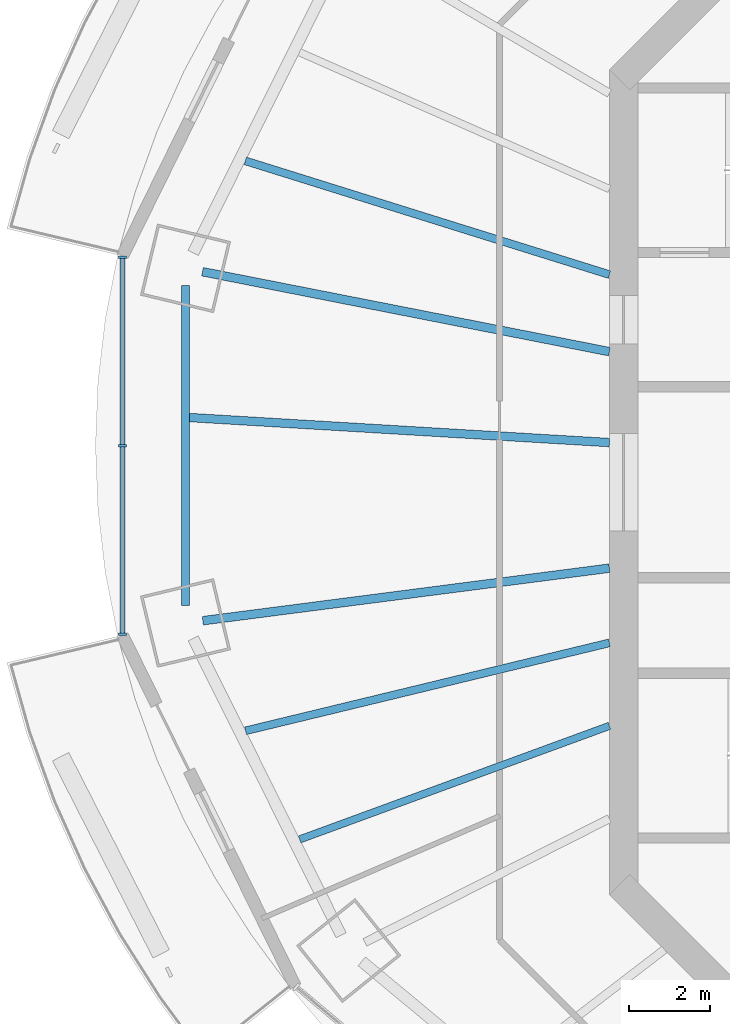
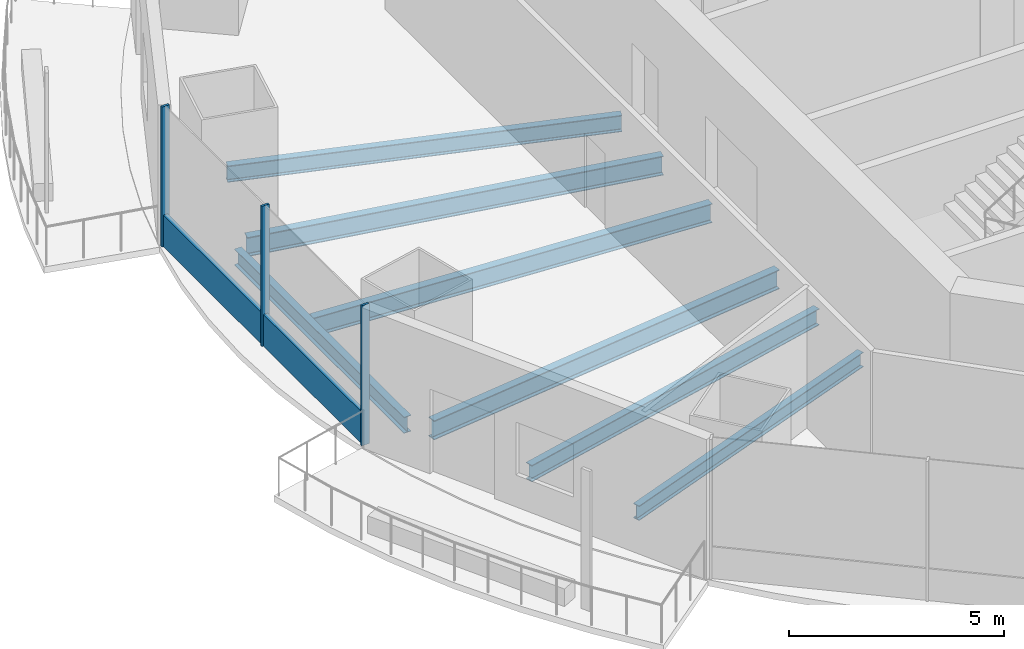
# One storey, part 3 of 16: 7 beams, 4 members, 1 element without a shape of its own.
"""IFC4 building model written with IfcOpenShell, lengths in metres."""

from ifc_helpers import new_model, si_unit, direction, frame, origin, origin_2d, place, context, subcontext, project, spatial, rectangle, i_section, extrude, material, material_profile, profile_set, type_object, element, aggregate, save


model = new_model("IFC4")

# Units and contexts
model_context = context("Model", 3, precision=1e-05, world=origin(), true_north=direction((0.0, 1.0)))
body_context = subcontext(model_context, "Body", "Model", "MODEL_VIEW")
ifc_project = project(units=[si_unit("LENGTHUNIT", "METRE"), si_unit("AREAUNIT", "SQUARE_METRE"), si_unit("VOLUMEUNIT", "CUBIC_METRE"), si_unit("PLANEANGLEUNIT", "RADIAN"), si_unit("MASSUNIT", "GRAM", prefix="KILO")], contexts=[model_context])

# Site, building, storey
site_placement = place(None, origin())
site = spatial("IfcSite", under=ifc_project, at=site_placement, CompositionType="ELEMENT")
building_placement = place(site_placement, origin())
building = spatial("IfcBuilding", under=site, at=building_placement, Name="Marenthal Gate Tower", CompositionType="ELEMENT")
storey_placement = place(building_placement, frame((0.0, 0.0, 301.10009765625)))
storey = spatial("IfcBuildingStorey", under=building, at=storey_placement, Name="L67", CompositionType="ELEMENT", Elevation=301.10009765625)

# Curtain wall, members
ifc_material_1 = material(Name="Aluminium and glass", Category="aluminium")
curtain_wall_type = type_object("IfcCurtainWallType", Name="Curtain wall typical high", PredefinedType="NOTDEFINED", material=ifc_material_1)
curtain_wall_placement = place(storey_placement, origin())
curtain_wall = element("IfcCurtainWall", 1, at=curtain_wall_placement, inside=storey, type_object=curtain_wall_type, Name="Curtain wall L67 bay 8", PredefinedType="NOTDEFINED")
ifc_material_2 = material(Name="Aluminium", Category="aluminium")
ifc_material_profile_1 = material_profile(ifc_material_2, rectangle(XDim=0.199951171875, YDim=0.06005859375, at=origin_2d()), Name="60x200 aluminium mullion")
ifc_profile_set_1 = profile_set([ifc_material_profile_1], Name="Aluminium")
member_type_1 = type_object("IfcMemberType", Name="Mullion 60x200 typical high", PredefinedType="MULLION", material=ifc_profile_set_1)
member_1_placement = place(storey_placement, frame((-28.328857421875, 5.5400390625, 0.0), z_axis=(0.0, 0.0, 1.0), x_axis=(1.0, 0.0, 0.0)))
member_1 = element("IfcMember", 2, at=member_1_placement, type_object=member_type_1, Name="Mullion L67 bay 8.1", PredefinedType="MULLION", context=body_context, shape_type="SweptSolid", body=[
    extrude(rectangle(XDim=0.199951171875, YDim=0.06005859375, at=origin_2d()), origin(), (0.0, 0.0, 1.0), 3.969970703125),
])
member_2_placement = place(storey_placement, frame((-28.328857421875, 0.89990234375, 0.0), z_axis=(0.0, 0.0, 1.0), x_axis=(1.0, 0.0, 0.0)))
member_2 = element("IfcMember", 3, at=member_2_placement, type_object=member_type_1, Name="Mullion L67 bay 8.2", PredefinedType="MULLION", context=body_context, shape_type="SweptSolid", body=[
    extrude(rectangle(XDim=0.199951171875, YDim=0.06005859375, at=origin_2d()), origin(), (0.0, 0.0, 1.0), 3.969970703125),
])
member_3_placement = place(storey_placement, frame((-28.328857421875, -3.739990234375, 0.0), z_axis=(0.0, 0.0, 1.0), x_axis=(1.0, 0.0, 0.0)))
member_3 = element("IfcMember", 4, at=member_3_placement, type_object=member_type_1, Name="Mullion L67 bay 8.3", PredefinedType="MULLION", context=body_context, shape_type="SweptSolid", body=[
    extrude(rectangle(XDim=0.199951171875, YDim=0.06005859375, at=origin_2d()), origin(), (0.0, 0.0, 1.0), 3.969970703125),
])
ifc_material_3 = material(Name="Aluminium", Category="aluminium")
ifc_material_profile_2 = material_profile(ifc_material_3, rectangle(XDim=0.1201171875, YDim=0.89990234375, at=origin_2d()), Name="120x900 aluminium transom")
ifc_profile_set_2 = profile_set([ifc_material_profile_2], Name="Aluminium")
member_type_2 = type_object("IfcMemberType", Name="Transom 120x900 typical high", PredefinedType="USERDEFINED", material=ifc_profile_set_2)
member_4_placement = place(storey_placement, frame((-28.328857421875, 5.510009765625, 0.449951171875), z_axis=(0.0, -1.0, 0.0), x_axis=(1.0, 0.0, 0.0)))
member_4 = element("IfcMember", 5, at=member_4_placement, type_object=member_type_2, Name="Transom L67 bay 8", ObjectType="TRANSOM", PredefinedType="USERDEFINED", context=body_context, shape_type="SweptSolid", body=[
    extrude(rectangle(XDim=0.1201171875, YDim=0.89990234375, at=origin_2d()), origin(), (0.0, 0.0, 1.0), 9.22021484375),
])
aggregate(curtain_wall, [member_1, member_2, member_3, member_4])

# Beams
ifc_material_4 = material(Name="Steel S355", Category="steel")
ifc_material_profile_3 = material_profile(ifc_material_4, i_section(OverallWidth=0.180908203125, OverallDepth=0.4169921875, WebThickness=0.010986328125, FlangeThickness=0.018310546875, FilletRadius=0.01025390625, at=origin_2d()), Name="W410X85")
ifc_profile_set_3 = profile_set([ifc_material_profile_3], Name="Steel S355")
beam_type_1 = type_object("IfcBeamType", Name="W410X85 beam", PredefinedType="BEAM", material=ifc_profile_set_3)
beam_1_placement = place(storey_placement, frame((-23.969970703125, -8.78662109375, -0.388671875), z_axis=(0.938905805694, 0.344174211751, 0.0), x_axis=(-0.344174211751, 0.938905805694, 0.0)))
element("IfcBeam", 6, at=beam_1_placement, inside=storey, type_object=beam_type_1, Name="BM-L67-30", PredefinedType="BEAM", context=body_context, shape_type="SweptSolid", body=[
    extrude(i_section(OverallWidth=0.180908203125, OverallDepth=0.4169921875, WebThickness=0.010986328125, FlangeThickness=0.018310546875, FilletRadius=0.01025390625, at=origin_2d()), origin(), (0.0, 0.0, 1.0), 8.11572265625),
])
ifc_material_5 = material(Name="Steel S355", Category="steel")
ifc_material_profile_4 = material_profile(ifc_material_5, i_section(OverallWidth=0.19091796875, OverallDepth=0.45703125, WebThickness=0.009033203125, FlangeThickness=0.014404296875, FilletRadius=0.01025390625, at=origin_2d()), Name="W460X74")
ifc_profile_set_4 = profile_set([ifc_material_profile_4], Name="Steel S355")
beam_type_2 = type_object("IfcBeamType", Name="W460X74 beam", PredefinedType="BEAM", material=ifc_profile_set_4)
beam_2_placement = place(storey_placement, frame((-26.779296875, 4.83642578125, -0.40869140625), z_axis=(0.0, -1.0, 0.0), x_axis=(1.0, 0.0, 0.0)))
element("IfcBeam", 7, at=beam_2_placement, inside=storey, type_object=beam_type_2, Name="BM-L67-48", PredefinedType="BEAM", context=body_context, shape_type="SweptSolid", body=[
    extrude(i_section(OverallWidth=0.19091796875, OverallDepth=0.45703125, WebThickness=0.009033203125, FlangeThickness=0.014404296875, FilletRadius=0.01025390625, at=origin_2d()), origin(), (0.0, 0.0, 1.0), 7.872802734375),
])
ifc_material_6 = material(Name="Steel S355", Category="steel")
ifc_material_profile_5 = material_profile(ifc_material_6, i_section(OverallWidth=0.193115234375, OverallDepth=0.467041015625, WebThickness=0.011474609375, FlangeThickness=0.01904296875, FilletRadius=0.010009765625, at=origin_2d()), Name="W460X97")
ifc_profile_set_5 = profile_set([ifc_material_profile_5], Name="Steel S355")
beam_type_3 = type_object("IfcBeamType", Name="W460X97 beam", PredefinedType="BEAM", material=ifc_profile_set_5)
beam_3_placement = place(storey_placement, frame((-25.3056640625, 7.90625, -0.41357421875), z_axis=(0.954495718839, -0.298224617895, 0.0), x_axis=(0.298224617895, 0.954495718839, 0.0)))
element("IfcBeam", 8, at=beam_3_placement, inside=storey, type_object=beam_type_3, Name="BM-L67-27", PredefinedType="BEAM", context=body_context, shape_type="SweptSolid", body=[
    extrude(i_section(OverallWidth=0.193115234375, OverallDepth=0.467041015625, WebThickness=0.011474609375, FlangeThickness=0.01904296875, FilletRadius=0.010009765625, at=origin_2d()), origin(), (0.0, 0.0, 1.0), 9.382568359375),
])
beam_4_placement = place(storey_placement, frame((-25.301513671875, -6.11474609375, -0.41357421875), z_axis=(0.972016698111, 0.234911767679, 0.0), x_axis=(-0.234911767679, 0.972016698111, 0.0)))
element("IfcBeam", 9, at=beam_4_placement, inside=storey, type_object=beam_type_3, Name="BM-L67-29", PredefinedType="BEAM", context=body_context, shape_type="SweptSolid", body=[
    extrude(i_section(OverallWidth=0.193115234375, OverallDepth=0.467041015625, WebThickness=0.011474609375, FlangeThickness=0.01904296875, FilletRadius=0.010009765625, at=origin_2d()), origin(), (0.0, 0.0, 1.0), 9.209228515625),
])
ifc_material_7 = material(Name="Steel S355", Category="steel")
ifc_material_profile_6 = material_profile(ifc_material_7, i_section(OverallWidth=0.2099609375, OverallDepth=0.535888671875, WebThickness=0.010986328125, FlangeThickness=0.017333984375, FilletRadius=0.0126953125, at=origin_2d()), Name="W530X101")
ifc_profile_set_6 = profile_set([ifc_material_profile_6], Name="Steel S355")
beam_type_4 = type_object("IfcBeamType", Name="W530X101 beam", PredefinedType="BEAM", material=ifc_profile_set_6)
beam_5_placement = place(storey_placement, frame((-26.68359375, 1.59228515625, -0.447998046875), z_axis=(0.998223913862, -0.059573633379, 0.0), x_axis=(0.059573633379, 0.998223913862, 0.0)))
element("IfcBeam", 10, at=beam_5_placement, inside=storey, type_object=beam_type_4, Name="BM-L67-28", PredefinedType="BEAM", context=body_context, shape_type="SweptSolid", body=[
    extrude(i_section(OverallWidth=0.2099609375, OverallDepth=0.535888671875, WebThickness=0.010986328125, FlangeThickness=0.017333984375, FilletRadius=0.0126953125, at=origin_2d()), origin(), (0.0, 0.0, 1.0), 10.351806640625),
])
ifc_material_8 = material(Name="Steel S355", Category="steel")
ifc_material_profile_7 = material_profile(ifc_material_8, i_section(OverallWidth=0.2119140625, OverallDepth=0.5439453125, WebThickness=0.01318359375, FlangeThickness=0.021240234375, FilletRadius=0.0126953125, at=origin_2d()), Name="W530X123")
ifc_profile_set_7 = profile_set([ifc_material_profile_7], Name="Steel S355")
beam_type_5 = type_object("IfcBeamType", Name="W530X123 beam", PredefinedType="BEAM", material=ifc_profile_set_7)
beam_6_placement = place(storey_placement, frame((-26.361328125, 5.1796875, -0.4521484375), z_axis=(0.981238636223, -0.192797144126, 0.0), x_axis=(0.192797144126, 0.981238636223, 0.0)))
element("IfcBeam", 11, at=beam_6_placement, inside=storey, type_object=beam_type_5, Name="BM-L67-08", PredefinedType="BEAM", context=body_context, shape_type="SweptSolid", body=[
    extrude(i_section(OverallWidth=0.2119140625, OverallDepth=0.5439453125, WebThickness=0.01318359375, FlangeThickness=0.021240234375, FilletRadius=0.0126953125, at=origin_2d()), origin(), (0.0, 0.0, 1.0), 10.20263671875),
])
beam_7_placement = place(storey_placement, frame((-26.3525390625, -3.406494140625, -0.4521484375), z_axis=(0.991748505128, 0.128198683992, 0.0), x_axis=(-0.128198683992, 0.991748505128, 0.0)))
element("IfcBeam", 12, at=beam_7_placement, inside=storey, type_object=beam_type_5, Name="BM-L67-09", PredefinedType="BEAM", context=body_context, shape_type="SweptSolid", body=[
    extrude(i_section(OverallWidth=0.2119140625, OverallDepth=0.5439453125, WebThickness=0.01318359375, FlangeThickness=0.021240234375, FilletRadius=0.0126953125, at=origin_2d()), origin(), (0.0, 0.0, 1.0), 10.085693359375),
])

save(model, "model.ifc")
